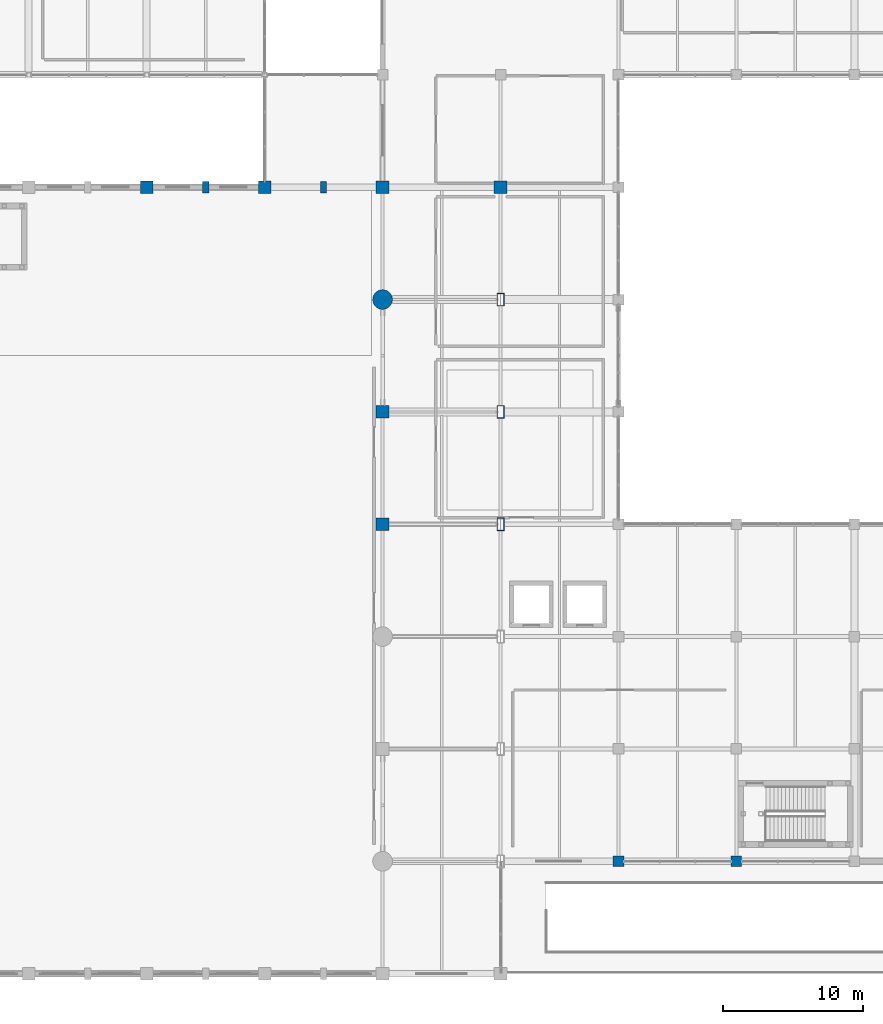
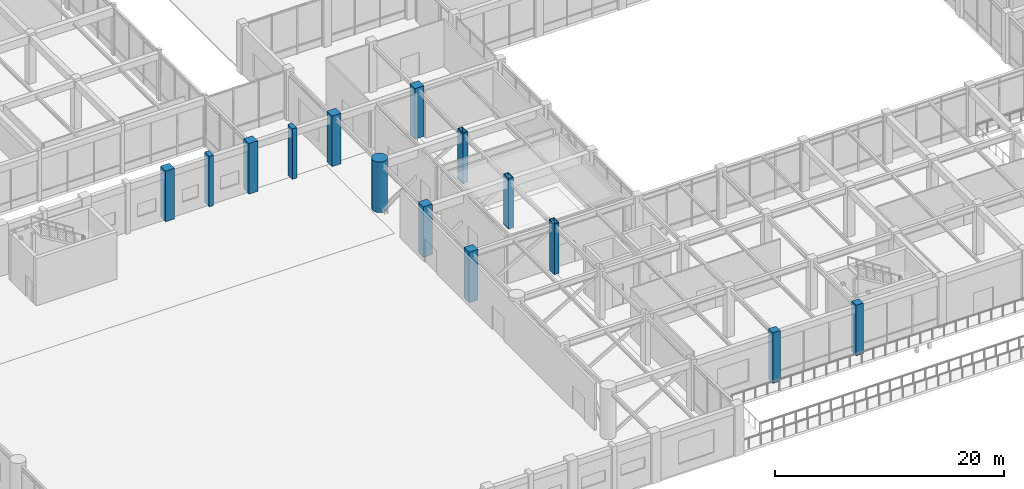
# One storey, part 4 of 79: 14 columns.
"""IFC4 building model written with IfcOpenShell, lengths in metres."""

import ifcopenshell
import ifcopenshell.guid

model = None  # the IFC model being written
_history = None  # IfcOwnerHistory: only IFC2X3 demands one
_inside = {}  # id of a spatial element -> (the spatial element, [elements in it])
_under = {}  # id of a project, library or spatial element -> (it, [spatial elements below it])
_declared = {}  # id of a project -> (the project, [libraries it declares])
_typed = {}  # id of a type object -> (the type object, [elements of that type])
_made_of = {}  # id of a material, layer set ... -> (it, [elements and type objects made of it])


def new_model(schema):
    """Start an empty IFC model of exactly this schema.

    Asked for "IFC4X3", IfcOpenShell would pick the latest addendum, in which some entities
    have other attributes; the version numbers below select the first issue.
    IFC2X3 requires an IfcOwnerHistory on every rooted entity: one is made here for all.
    """
    global model, _history
    if schema == "IFC4X3":
        model = ifcopenshell.file(schema_version=(4, 3, 0, 0))
    else:
        model = ifcopenshell.file(schema=schema)
    _inside.clear()
    _under.clear()
    _declared.clear()
    _typed.clear()
    _made_of.clear()
    _history = None
    if model.schema == "IFC2X3":
        org = make("IfcOrganization", Name="unknown")
        user = make(
            "IfcPersonAndOrganization",
            ThePerson=make("IfcPerson", FamilyName="unknown"),
            TheOrganization=org,
        )
        app = make(
            "IfcApplication",
            ApplicationDeveloper=org,
            Version="unknown",
            ApplicationFullName="unknown",
            ApplicationIdentifier="unknown",
        )
        _history = make(
            "IfcOwnerHistory",
            OwningUser=user,
            OwningApplication=app,
            ChangeAction="ADDED",
            CreationDate=0,
        )
    return model


def make(cls, **values):
    """One entity of the class cls with the attributes given. An attribute that is None is left unset."""
    return model.create_entity(
        cls, **{name: value for name, value in values.items() if value is not None}
    )


def rooted(cls, **values):
    """An entity with a GlobalId (a new one), such as an element, a storey or a relation."""
    return make(cls, GlobalId=ifcopenshell.guid.new(), OwnerHistory=_history, **values)


def si_unit(unit_type, name, prefix=None):
    """IfcSIUnit, for example si_unit("LENGTHUNIT", "METRE", prefix="MILLI")."""
    return make("IfcSIUnit", UnitType=unit_type, Prefix=prefix, Name=name)


def assignment(units):
    """IfcUnitAssignment: the units of a project."""
    return None if units is None else make("IfcUnitAssignment", Units=units)


def point(xyz):
    """IfcCartesianPoint."""
    return None if xyz is None else make("IfcCartesianPoint", Coordinates=xyz)


def direction(xyz):
    """IfcDirection."""
    return None if xyz is None else make("IfcDirection", DirectionRatios=xyz)


def frame(location, z_axis=None, x_axis=None):
    """IfcAxis2Placement3D, a coordinate frame: its origin and axes. An axis left out is left unset."""
    return make(
        "IfcAxis2Placement3D",
        Location=point(location),
        Axis=direction(z_axis),
        RefDirection=direction(x_axis),
    )


def frame_2d(location, x_axis=None):
    """IfcAxis2Placement2D, a coordinate frame in the plane: its origin and x axis."""
    return make(
        "IfcAxis2Placement2D", Location=point(location), RefDirection=direction(x_axis)
    )


def origin():
    """The frame at (0, 0, 0) with its axes left unset."""
    return frame((0.0, 0.0, 0.0))


def origin_2d():
    """The frame at (0, 0) in the plane with its x axis left unset."""
    return frame_2d((0.0, 0.0))


def place(relative_to, where):
    """IfcLocalPlacement: puts the frame where relative to a parent placement (None: the world)."""
    return make(
        "IfcLocalPlacement", PlacementRelTo=relative_to, RelativePlacement=where
    )


def context(
    kind, dimensions, precision=None, world=None, true_north=None, identifier=None
):
    """IfcGeometricRepresentationContext, for example the 3D "Model" context."""
    return make(
        "IfcGeometricRepresentationContext",
        ContextIdentifier=identifier,
        ContextType=kind,
        CoordinateSpaceDimension=dimensions,
        Precision=precision,
        WorldCoordinateSystem=world,
        TrueNorth=true_north,
    )


def subcontext(parent, identifier, kind, view, scale=None):
    """IfcGeometricRepresentationSubContext, for example "Body" below "Model"."""
    return make(
        "IfcGeometricRepresentationSubContext",
        ContextIdentifier=identifier,
        ContextType=kind,
        ParentContext=parent,
        TargetScale=scale,
        TargetView=view,
    )


def project(units=None, contexts=None):
    """IfcProject with its units and contexts."""
    return rooted(
        "IfcProject",
        Name="project",
        RepresentationContexts=contexts,
        UnitsInContext=assignment(units),
    )


def spatial(cls, under=None, at=None, **own):
    """A site, building, storey or space (cls), placed at a placement, below another one or the project."""
    s = rooted(cls, ObjectPlacement=at, **own)
    if under is not None:
        _under.setdefault(under.id(), (under, []))[1].append(s)
    return s


def profile(cls, at=None, kind="AREA", **sizes):
    """A parametric profile (cls). Its sizes go by their IFC names, for example OverallWidth=200.0."""
    return make(cls, ProfileType=kind, Position=at, **sizes)


def rectangle(**sizes):
    """IfcRectangleProfileDef."""
    return profile("IfcRectangleProfileDef", **sizes)


def hollow_rectangle(**sizes):
    """IfcRectangleHollowProfileDef."""
    return profile("IfcRectangleHollowProfileDef", **sizes)


def circle(**sizes):
    """IfcCircleProfileDef."""
    return profile("IfcCircleProfileDef", **sizes)


def extrude(swept, where, along, depth):
    """IfcExtrudedAreaSolid: the profile swept, set in the frame where, extruded along a direction by depth."""
    return make(
        "IfcExtrudedAreaSolid",
        SweptArea=swept,
        Position=where,
        ExtrudedDirection=direction(along),
        Depth=depth,
    )


def shape(context_of_items, identifier, shape_type, items):
    """IfcShapeRepresentation: the items that make up one representation, for example the "Body"."""
    return make(
        "IfcShapeRepresentation",
        ContextOfItems=context_of_items,
        RepresentationIdentifier=identifier,
        RepresentationType=shape_type,
        Items=items,
    )


def material(Name=None, Category=None):
    """IfcMaterial."""
    return make("IfcMaterial", Name=Name, Category=Category)


def material_profile(
    of_material, cross_section, Name=None, Category=None, Priority=None
):
    """IfcMaterialProfile: a cross section and its material."""
    return make(
        "IfcMaterialProfile",
        Name=Name,
        Material=of_material,
        Profile=cross_section,
        Priority=Priority,
        Category=Category,
    )


def profile_set(profiles, Name=None, composite=None):
    """IfcMaterialProfileSet."""
    return make(
        "IfcMaterialProfileSet",
        Name=Name,
        MaterialProfiles=profiles,
        CompositeProfile=composite,
    )


def made_of(thing, what):
    """Note that an element or type object is made of a material, layer set ...; save() writes the relation."""
    if what is not None:
        _made_of.setdefault(what.id(), (what, []))[1].append(thing)
    return thing


def type_object(cls, material=None, **own):
    """A type object (cls), such as IfcWallType, which elements share."""
    return made_of(rooted(cls, **own), material)


def element(
    cls,
    number,
    at=None,
    inside=None,
    cuts=None,
    type_object=None,
    material=None,
    context=None,
    identifier="Body",
    shape_type=None,
    held_by="IfcProductDefinitionShape",
    body=None,
    shapes=None,
    **own,
):
    """One element of the class cls, such as IfcWall. Its Tag is "e" and its number.

    at: its placement. inside: the storey or other place that contains it. cuts: it is an
    opening in that element (IfcRelVoidsElement). A single representation is given by context,
    identifier, shape_type and body (its items); several are given by shapes. held_by: the class
    of the entity that holds the representations. save() writes the other relations.
    """
    e = rooted(cls, Tag="e%d" % number, ObjectPlacement=at, **own)
    if body is not None:
        shapes = [shape(context, identifier, shape_type, body)]
    if shapes is not None:
        e.Representation = make(held_by, Representations=shapes)
    if inside is not None:
        _inside.setdefault(inside.id(), (inside, []))[1].append(e)
    if cuts is not None:
        rooted(
            "IfcRelVoidsElement", RelatingBuildingElement=cuts, RelatedOpeningElement=e
        )
    if type_object is not None:
        _typed.setdefault(type_object.id(), (type_object, []))[1].append(e)
    return made_of(e, material)


def aggregate(whole, parts):
    """IfcRelAggregates: a whole, such as a stair, and the parts it consists of."""
    return rooted("IfcRelAggregates", RelatingObject=whole, RelatedObjects=parts)


def save(model, path):
    """Write the relations noted so far, then the file.

    IfcRelAggregates (storeys below a building ...), IfcRelContainedInSpatialStructure (elements
    in a storey), IfcRelDefinesByType, IfcRelAssociatesMaterial and IfcRelDeclares: one each for
    every whole, place, type object, material and project.
    """
    for whole, parts in _under.values():
        aggregate(whole, parts)
    for where, things in _inside.values():
        rooted(
            "IfcRelContainedInSpatialStructure",
            RelatedElements=things,
            RelatingStructure=where,
        )
    for kind, things in _typed.values():
        rooted("IfcRelDefinesByType", RelatedObjects=things, RelatingType=kind)
    for what, things in _made_of.values():
        rooted("IfcRelAssociatesMaterial", RelatedObjects=things, RelatingMaterial=what)
    for by, libraries in _declared.values():
        rooted("IfcRelDeclares", RelatingContext=by, RelatedDefinitions=libraries)
    model.write(path)


model = new_model("IFC4")

# Units and contexts
model_context = context("Model", 3, precision=1e-05, world=origin(), true_north=direction((0.0, 1.0)))
body_context = subcontext(model_context, "Body", "Model", "MODEL_VIEW")
ifc_project = project(units=[si_unit("LENGTHUNIT", "METRE"), si_unit("AREAUNIT", "SQUARE_METRE"), si_unit("VOLUMEUNIT", "CUBIC_METRE"), si_unit("PLANEANGLEUNIT", "RADIAN"), si_unit("MASSUNIT", "GRAM", prefix="KILO")], contexts=[model_context])

# Site, building, storey
site_placement = place(None, origin())
site = spatial("IfcSite", under=ifc_project, at=site_placement, CompositionType="ELEMENT")
building_placement = place(site_placement, origin())
building = spatial("IfcBuilding", under=site, at=building_placement, Name="Naruveol Harbour Congress Hotel", CompositionType="ELEMENT")
storey_placement = place(building_placement, frame((0.0, 0.0, 6.0)))
storey = spatial("IfcBuildingStorey", under=building, at=storey_placement, Name="L01", CompositionType="ELEMENT", Elevation=6.0)

# Columns
ifc_material_1 = material(Name="Concrete C50/60", Category="concrete")
ifc_material_profile_1 = material_profile(ifc_material_1, rectangle(XDim=0.449951171875, YDim=0.800048828125, at=origin_2d()), Name="RC-450x800")
ifc_profile_set_1 = profile_set([ifc_material_profile_1], Name="Concrete C50/60")
column_type_1 = type_object("IfcColumnType", Name="RC ACOUSTIC WALL PILASTER 450X800", PredefinedType="PILASTER", material=ifc_profile_set_1)
for number, where, z_axis, x_axis, name in (
    (1, (37.800048828125, 56.0, 0.0), (0.0, 0.0, 1.0), (1.0, 0.0, 0.0), "Column PL-450 L01 (37.8,56.0)"),
    (2, (46.199951171875, 56.0, 0.0), (0.0, 0.0, 1.0), (1.0, 0.0, 0.0), "Column PL-450 L01 (46.2,56.0)"),
):
    element("IfcColumn", number, at=place(storey_placement, frame(where, z_axis=z_axis, x_axis=x_axis)), inside=storey, type_object=column_type_1, Name=name, PredefinedType="PILASTER", context=body_context, shape_type="SweptSolid", body=[
        extrude(rectangle(XDim=0.449951171875, YDim=0.800048828125, at=origin_2d()), origin(), (0.0, 0.0, 1.0), 5.39990234375),
    ])
ifc_material_2 = material(Name="Concrete C50/60", Category="concrete")
ifc_material_profile_2 = material_profile(ifc_material_2, circle(Radius=0.699951171875, at=origin_2d()), Name="RC-D1400")
ifc_profile_set_2 = profile_set([ifc_material_profile_2], Name="Concrete C50/60")
column_type_2 = type_object("IfcColumnType", Name="RC MEGA COLUMN D1400", PredefinedType="COLUMN", material=ifc_profile_set_2)
column_placement = place(storey_placement, frame((50.39990234375, 48.0, 0.0), z_axis=(0.0, 0.0, 1.0), x_axis=(1.0, 0.0, 0.0)))
element("IfcColumn", 3, at=column_placement, inside=storey, type_object=column_type_2, Name="Column C-MD1400 L01 (50.4,48.0)", PredefinedType="COLUMN", context=body_context, shape_type="SweptSolid", body=[
    extrude(circle(Radius=0.699951171875, at=origin_2d()), origin(), (0.0, 0.0, 1.0), 5.39990234375),
])
ifc_material_3 = material(Name="Concrete C50/60", Category="concrete")
ifc_material_profile_3 = material_profile(ifc_material_3, rectangle(XDim=0.89990234375, YDim=0.89990234375, at=origin_2d()), Name="RC-900x900")
ifc_profile_set_3 = profile_set([ifc_material_profile_3], Name="Concrete C50/60")
column_type_3 = type_object("IfcColumnType", Name="RC PRIMARY COLUMN 900X900", PredefinedType="COLUMN", material=ifc_profile_set_3)
for number, where, z_axis, x_axis, name in (
    (4, (33.60009765625, 56.0, 0.0), (0.0, 0.0, 1.0), (1.0, 0.0, 0.0), "Column C-900 L01 (33.6,56.0)"),
    (5, (42.0, 56.0, 0.0), (0.0, 0.0, 1.0), (1.0, 0.0, 0.0), "Column C-900 L01 (42.0,56.0)"),
    (6, (50.39990234375, 32.0, 0.0), (0.0, 0.0, 1.0), (1.0, 0.0, 0.0), "Column C-900 L01 (50.4,32.0)"),
    (7, (50.39990234375, 40.0, 0.0), (0.0, 0.0, 1.0), (1.0, 0.0, 0.0), "Column C-900 L01 (50.4,40.0)"),
    (8, (50.39990234375, 56.0, 0.0), (0.0, 0.0, 1.0), (1.0, 0.0, 0.0), "Column C-900 L01 (50.4,56.0)"),
    (9, (58.800048828125, 56.0, 0.0), (0.0, 0.0, 1.0), (1.0, 0.0, 0.0), "Column C-900 L01 (58.8,56.0)"),
):
    element("IfcColumn", number, at=place(storey_placement, frame(where, z_axis=z_axis, x_axis=x_axis)), inside=storey, type_object=column_type_3, Name=name, PredefinedType="COLUMN", context=body_context, shape_type="SweptSolid", body=[
        extrude(rectangle(XDim=0.89990234375, YDim=0.89990234375, at=origin_2d()), origin(), (0.0, 0.0, 1.0), 5.39990234375),
    ])
ifc_material_4 = material(Name="Concrete C50/60", Category="concrete")
ifc_material_profile_4 = material_profile(ifc_material_4, rectangle(XDim=0.75, YDim=0.75, at=origin_2d()), Name="RC-750x750")
ifc_profile_set_4 = profile_set([ifc_material_profile_4], Name="Concrete C50/60")
column_type_4 = type_object("IfcColumnType", Name="RC WING COLUMN 750X750", PredefinedType="COLUMN", material=ifc_profile_set_4)
for number, where, z_axis, x_axis, name in (
    (10, (67.199951171875, 8.0, 0.0), (0.0, 0.0, 1.0), (1.0, 0.0, 0.0), "Column C-750 L01 (67.2,8.0)"),
    (11, (75.60009765625, 8.0, 0.0), (0.0, 0.0, 1.0), (1.0, 0.0, 0.0), "Column C-750 L01 (75.6,8.0)"),
):
    element("IfcColumn", number, at=place(storey_placement, frame(where, z_axis=z_axis, x_axis=x_axis)), inside=storey, type_object=column_type_4, Name=name, PredefinedType="COLUMN", context=body_context, shape_type="SweptSolid", body=[
        extrude(rectangle(XDim=0.75, YDim=0.75, at=origin_2d()), origin(), (0.0, 0.0, 1.0), 5.39990234375),
    ])
ifc_material_5 = material(Name="Steel SN490", Category="steel")
ifc_material_profile_5 = material_profile(ifc_material_5, hollow_rectangle(XDim=0.5, YDim=0.89990234375, WallThickness=0.02392578125, at=origin_2d()), Name="RHS-900x500x24")
ifc_profile_set_5 = profile_set([ifc_material_profile_5], Name="Steel SN490")
column_type_5 = type_object("IfcColumnType", Name="STEEL HALL COLUMN H900X300", PredefinedType="COLUMN", material=ifc_profile_set_5)
for number, where, z_axis, x_axis, name in (
    (12, (58.800048828125, 32.0, 0.0), (0.0, 0.0, 1.0), (1.0, 0.0, 0.0), "Column SC-H900 L01 (58.8,32.0)"),
    (13, (58.800048828125, 40.0, 0.0), (0.0, 0.0, 1.0), (1.0, 0.0, 0.0), "Column SC-H900 L01 (58.8,40.0)"),
    (14, (58.800048828125, 48.0, 0.0), (0.0, 0.0, 1.0), (1.0, 0.0, 0.0), "Column SC-H900 L01 (58.8,48.0)"),
):
    element("IfcColumn", number, at=place(storey_placement, frame(where, z_axis=z_axis, x_axis=x_axis)), inside=storey, type_object=column_type_5, Name=name, PredefinedType="COLUMN", context=body_context, shape_type="SweptSolid", body=[
        extrude(hollow_rectangle(XDim=0.5, YDim=0.89990234375, WallThickness=0.02392578125, at=origin_2d()), origin(), (0.0, 0.0, 1.0), 5.39990234375),
    ])

save(model, "model.ifc")
